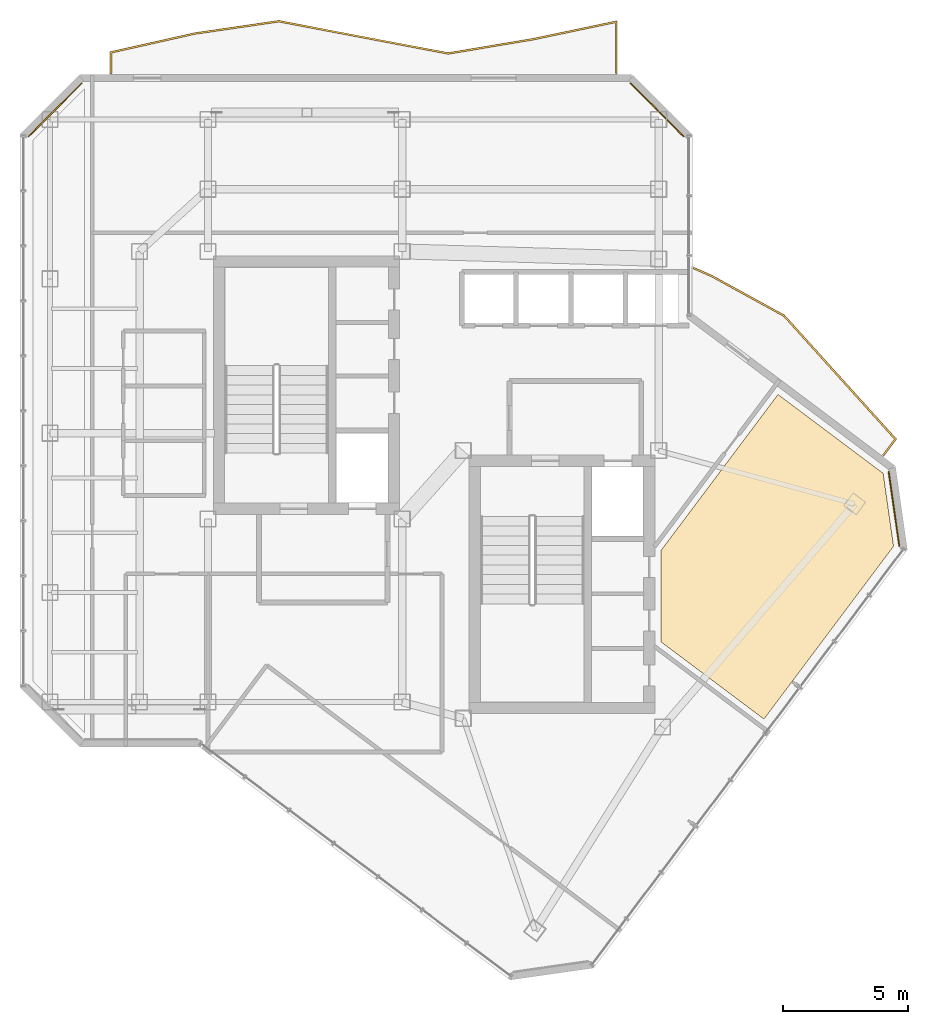
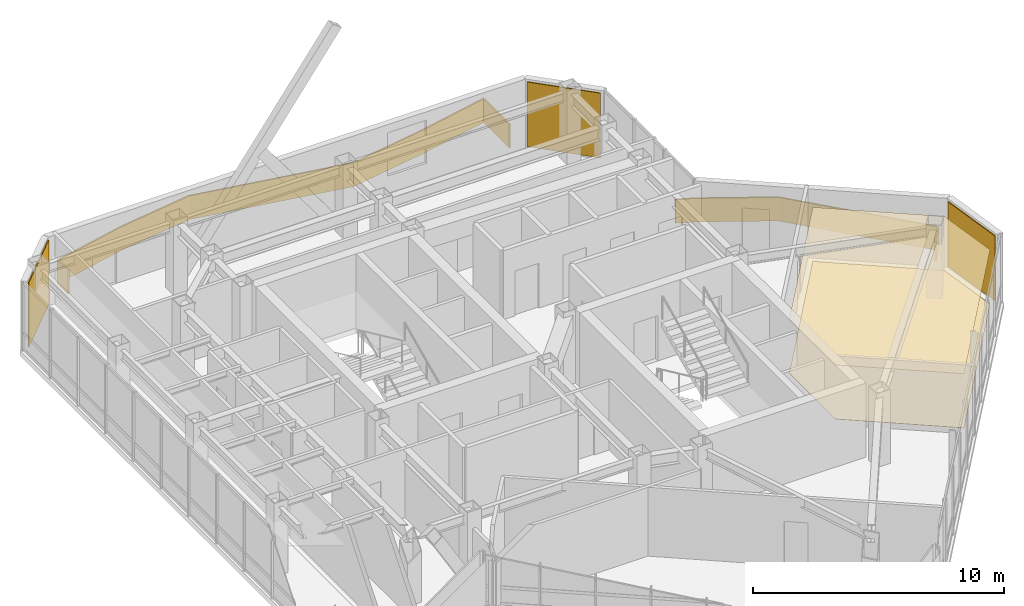
# One storey, part 22 of 22: 5 coverings, 2 railings.
"""IFC4 building model written with IfcOpenShell, lengths in metres."""

from ifc_helpers import new_model, si_unit, direction, frame, origin, origin_2d, place, context, subcontext, project, spatial, polyline, rectangle, outline, extrude, material, layer, layer_set, type_object, element, save


model = new_model("IFC4")

# Units and contexts
model_context = context("Model", 3, precision=1e-05, world=origin(), true_north=direction((0.0, 1.0)))
body_context = subcontext(model_context, "Body", "Model", "MODEL_VIEW")
ifc_project = project(units=[si_unit("LENGTHUNIT", "METRE"), si_unit("AREAUNIT", "SQUARE_METRE"), si_unit("VOLUMEUNIT", "CUBIC_METRE"), si_unit("PLANEANGLEUNIT", "RADIAN"), si_unit("MASSUNIT", "GRAM", prefix="KILO")], contexts=[model_context])

# Site, building, storey
site_placement = place(None, origin())
site = spatial("IfcSite", under=ifc_project, at=site_placement, CompositionType="ELEMENT")
building_placement = place(site_placement, origin())
building = spatial("IfcBuilding", under=site, at=building_placement, Name="Hatsunagi Terrace Concourse", CompositionType="ELEMENT")
storey_placement = place(building_placement, frame((0.0, 0.0, 239.550048828125)))
storey = spatial("IfcBuildingStorey", under=building, at=storey_placement, Name="L63", CompositionType="ELEMENT", Elevation=239.550048828125)

# Covering
ifc_material_1 = material(Name="Acoustic mineral board", Category="gypsum")
ifc_layer_1 = layer(ifc_material_1, 0.02001953125)
ifc_layer_set_1 = layer_set([ifc_layer_1], Name="AcousticMineralCeiling_20")
covering_type_1 = type_object("IfcCoveringType", Name="AcousticMineralCeiling_20", PredefinedType="CEILING", material=ifc_layer_set_1)
covering_1_placement = place(storey_placement, frame((0.0, 0.0, 2.6298828125)))
element("IfcCovering", 1, at=covering_1_placement, inside=storey, type_object=covering_type_1, Name="Suspended Ceiling L63-1", PredefinedType="CEILING", context=body_context, shape_type="SweptSolid", body=[
    extrude(outline(polyline([(52.666015625, 34.387939453125), (48.44189453125, 37.555908203125), (43.75, 31.300048828125), (43.75, 27.613037109375), (47.8759765625, 24.51806640625), (53.083984375, 31.4619140625), (52.666015625, 34.387939453125)])), origin(), (0.0, 0.0, 1.0), 0.02001953125),
])

# Railings
ifc_material_2 = material(Name="Laminated Glass and Stainless Steel Guard", Category="steel")
ifc_layer_2 = layer(ifc_material_2, 0.070068359375)
ifc_layer_set_2 = layer_set([ifc_layer_2], Name="BalconyGlassGuardRail_1150")
railing_type = type_object("IfcRailingType", Name="BalconyGlassGuardRail_1150", PredefinedType="BALUSTRADE", material=ifc_layer_set_2)
railing_1_placement = place(storey_placement, origin())
element("IfcRailing", 2, at=railing_1_placement, inside=storey, type_object=railing_type, Name="Engawa Balcony Guard GRD-01 L63-BN-1", PredefinedType="BALUSTRADE", context=body_context, shape_type="SweptSolid", body=[
    extrude(outline(polyline([(21.614990234375, 50.449951171875), (21.68505859375, 50.449951171875), (21.68505859375, 51.263916015625), (25.015380859375, 52.0126953125), (28.398193359375, 52.507568359375), (35.19970703125, 51.21337890625), (38.615478515625, 51.78759765625), (41.9150390625, 52.48095703125), (41.9150390625, 50.449951171875), (41.985107421875, 50.449951171875), (41.985107421875, 52.567138671875), (38.6025390625, 51.8564453125), (35.200439453125, 51.28466796875), (28.39990234375, 52.57861328125), (25.002685546875, 52.081298828125), (21.614990234375, 51.320068359375), (21.614990234375, 50.449951171875)])), origin(), (0.0, 0.0, 1.0), 1.14990234375),
])
railing_2_placement = place(storey_placement, origin())
element("IfcRailing", 3, at=railing_2_placement, inside=storey, type_object=railing_type, Name="Engawa Balcony Guard GRD-01 L63-BSE-1", PredefinedType="BALUSTRADE", context=body_context, shape_type="SweptSolid", body=[
    extrude(outline(polyline([(45.06005859375, 42.6640625), (45.031982421875, 42.599853515625), (45.756591796875, 42.28271484375), (48.6630859375, 40.687255859375), (53.11279296875, 35.7587890625), (52.64208984375, 35.131103515625), (52.697998046875, 35.089111328125), (53.203369140625, 35.76318359375), (48.70703125, 40.742919921875), (45.78759765625, 42.345458984375), (45.06005859375, 42.6640625)])), origin(), (0.0, 0.0, 1.0), 1.14990234375),
])

# Coverings
ifc_material_3 = material(Name="Hardwood timber", Category="wood")
ifc_layer_3 = layer(ifc_material_3, 0.014892578125)
ifc_layer_set_3 = layer_set([ifc_layer_3], Name="HardwoodTimberFlooring_15")
covering_type_2 = type_object("IfcCoveringType", Name="HardwoodTimberFlooring_15", PredefinedType="FLOORING", material=ifc_layer_set_3)
covering_2_placement = place(storey_placement, origin())
element("IfcCovering", 4, at=covering_2_placement, inside=storey, type_object=covering_type_2, Name="Finished Flooring L63-1", PredefinedType="FLOORING", context=body_context, shape_type="SweptSolid", body=[
    extrude(outline(polyline([(52.666015625, 34.387939453125), (48.44189453125, 37.555908203125), (43.75, 31.300048828125), (43.75, 27.613037109375), (47.8759765625, 24.51806640625), (53.083984375, 31.4619140625), (52.666015625, 34.387939453125)])), origin(), (0.0, 0.0, 1.0), 0.014892578125),
])
ifc_material_4 = material(Name="Unglazed Warm Terracotta Rainscreen Tile", Category="masonry")
ifc_layer_4 = layer(ifc_material_4, 0.044921875)
ifc_layer_set_4 = layer_set([ifc_layer_4], Name="TerracottaRainscreenCladding_45")
covering_type_3 = type_object("IfcCoveringType", Name="TerracottaRainscreenCladding_45", PredefinedType="CLADDING", material=ifc_layer_set_4)
for number, where, z_axis, x_axis, name in (
    (5, (53.10107421875, 32.9580078125, 0.10009765625), (0.0, 0.0, 1.0), (0.141250262458, -0.989973920543, 0.0), "Terracotta Rainscreen Cladding L63-02"),
    (6, (19.4140625, 48.986083984375, 0.10009765625), (0.0, 0.0, 1.0), (0.707106781187, 0.707106781187, 0.0), "Terracotta Rainscreen Cladding L63-09"),
    (7, (43.5859375, 48.986083984375, 0.10009765625), (0.0, 0.0, 1.0), (0.707106781187, -0.707106781187, 0.0), "Terracotta Rainscreen Cladding L63-11"),
):
    element("IfcCovering", number, at=place(storey_placement, frame(where, z_axis=z_axis, x_axis=x_axis)), inside=storey, type_object=covering_type_3, Name=name, PredefinedType="CLADDING", context=body_context, shape_type="SweptSolid", body=[
        extrude(rectangle(XDim=3.0380859375, YDim=0.044921875, at=origin_2d()), origin(), (0.0, 0.0, 1.0), 3.14990234375),
    ])

save(model, "model.ifc")
